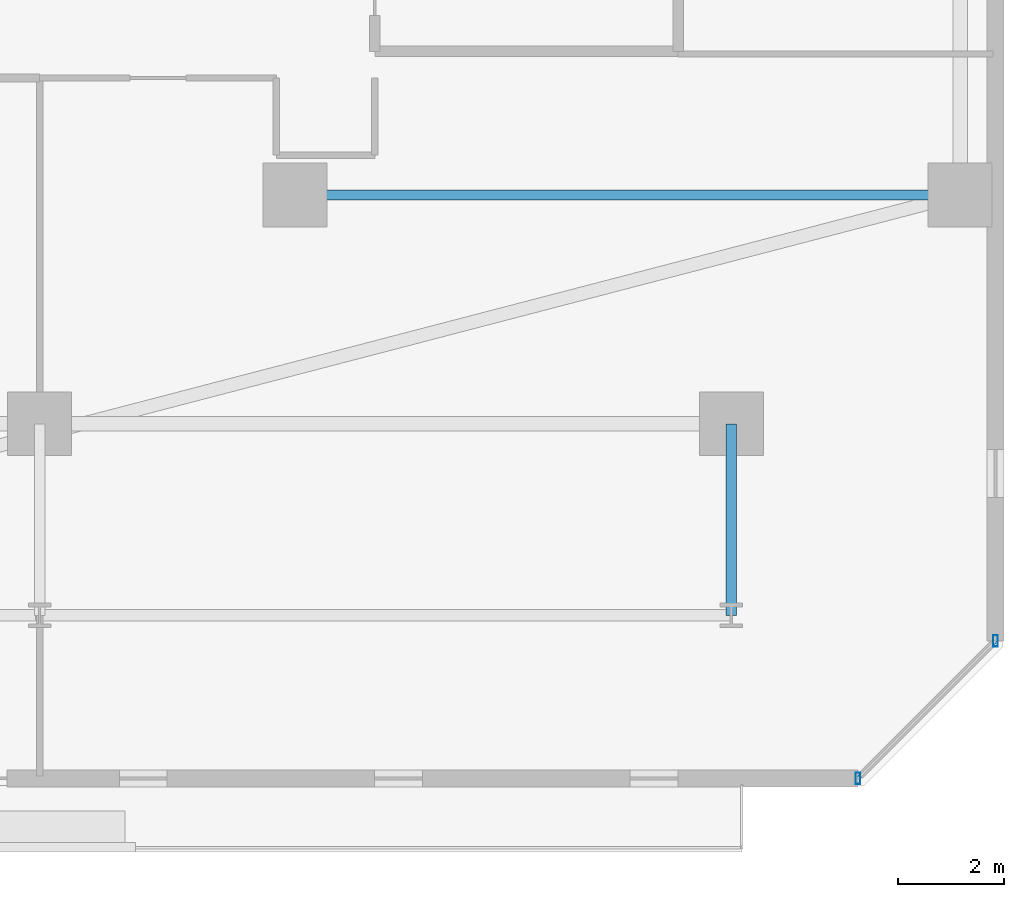
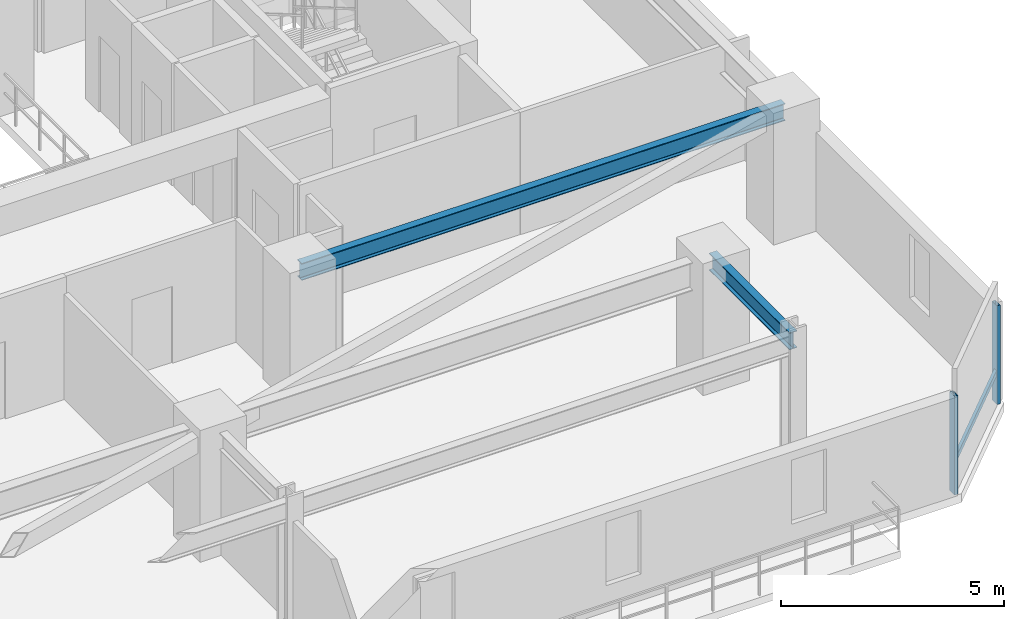
# One storey, part 13 of 33: 3 members, 2 beams, 1 element without a shape of its own.
"""IFC4 building model written with IfcOpenShell, lengths in metres."""

from ifc_helpers import new_model, si_unit, direction, frame, origin, origin_2d, place, context, subcontext, project, spatial, hollow_rectangle, i_section, extrude, material, material_profile, profile_set, type_object, element, aggregate, save


model = new_model("IFC4")

# Units and contexts
model_context = context("Model", 3, precision=1e-05, world=origin(), true_north=direction((0.0, 1.0)))
body_context = subcontext(model_context, "Body", "Model", "MODEL_VIEW")
ifc_project = project(units=[si_unit("LENGTHUNIT", "METRE"), si_unit("AREAUNIT", "SQUARE_METRE"), si_unit("VOLUMEUNIT", "CUBIC_METRE"), si_unit("PLANEANGLEUNIT", "RADIAN"), si_unit("MASSUNIT", "GRAM", prefix="KILO")], contexts=[model_context])

# Site, building, storey
site_placement = place(None, origin())
site = spatial("IfcSite", under=ifc_project, at=site_placement, CompositionType="ELEMENT")
building_placement = place(site_placement, origin())
building = spatial("IfcBuilding", under=site, at=building_placement, Name="Thornwick Lancets Civic Towers", CompositionType="ELEMENT")
storey_placement = place(building_placement, frame((0.0, 0.0, 105.300048828125)))
storey = spatial("IfcBuildingStorey", under=building, at=storey_placement, Name="L27", CompositionType="ELEMENT", Elevation=105.300048828125)

# Beams
ifc_material_1 = material(Name="Steel S355JR", Category="steel")
ifc_material_profile_1 = material_profile(ifc_material_1, i_section(OverallWidth=0.19287109375, OverallDepth=0.46728515625, WebThickness=0.011474609375, FlangeThickness=0.01953125, FilletRadius=0.01025390625, at=origin_2d()), Name="UKB 457x191x98")
ifc_profile_set_1 = profile_set([ifc_material_profile_1], Name="Steel S355JR")
beam_type = type_object("IfcBeamType", Name="BM_JOIST_457_98", PredefinedType="JOIST", material=ifc_profile_set_1)
beam_1_placement = place(storey_placement, frame((93.300048828125, 14.0, 3.12646484375), z_axis=(1.0, 0.0, 0.0), x_axis=(0.0, 1.0, 0.0)))
element("IfcBeam", 1, at=beam_1_placement, inside=storey, type_object=beam_type, Name="BM-RADIN-L27-B01", PredefinedType="JOIST", context=body_context, shape_type="SweptSolid", body=[
    extrude(i_section(OverallWidth=0.19287109375, OverallDepth=0.46728515625, WebThickness=0.011474609375, FlangeThickness=0.01953125, FilletRadius=0.01025390625, at=origin_2d()), origin(), (0.0, 0.0, 1.0), 12.5),
])
beam_2_placement = place(storey_placement, frame((101.5, 9.699951171875, 3.12646484375), z_axis=(0.0, -1.0, 0.0), x_axis=(1.0, 0.0, 0.0)))
element("IfcBeam", 2, at=beam_2_placement, inside=storey, type_object=beam_type, Name="BM-RAD-L27-B10", PredefinedType="JOIST", context=body_context, shape_type="SweptSolid", body=[
    extrude(i_section(OverallWidth=0.19287109375, OverallDepth=0.46728515625, WebThickness=0.011474609375, FlangeThickness=0.01953125, FilletRadius=0.01025390625, at=origin_2d()), origin(), (0.0, 0.0, 1.0), 3.599853515625),
])

# Curtain wall, members
ifc_material_2 = material(Name="Low-zone chamfered-corner unitised glass curtain wall", Category="glass")
curtain_wall_type = type_object("IfcCurtainWallType", Name="CW_SYS_03", PredefinedType="NOTDEFINED", material=ifc_material_2)
curtain_wall_placement = place(storey_placement, origin())
curtain_wall = element("IfcCurtainWall", 3, at=curtain_wall_placement, inside=storey, type_object=curtain_wall_type, Name="L27 Curtain Wall CW-L27-B-E1", PredefinedType="NOTDEFINED")
ifc_material_3 = material(Name="Thermally broken bronze aluminium S355", Category="steel")
ifc_material_profile_2 = material_profile(ifc_material_3, hollow_rectangle(XDim=0.090087890625, YDim=0.219970703125, WallThickness=0.00634765625, at=origin_2d()), Name="RHS 220x90x6.3")
ifc_profile_set_2 = profile_set([ifc_material_profile_2], Name="Thermally broken bronze aluminium S355")
member_type_1 = type_object("IfcMemberType", Name="CW_MUL_220", PredefinedType="MULLION", material=ifc_profile_set_2)
member_1_placement = place(storey_placement, frame((103.88134765625, 3.035400390625, 0.0), z_axis=(0.0, 0.0, 1.0), x_axis=(1.0, 0.0, 0.0)))
member_1 = element("IfcMember", 4, at=member_1_placement, type_object=member_type_1, Name="CW-L27-B-E1 Mullion 0", PredefinedType="MULLION", context=body_context, shape_type="SweptSolid", body=[
    extrude(hollow_rectangle(XDim=0.090087890625, YDim=0.219970703125, WallThickness=0.00634765625, at=origin_2d()), origin(), (0.0, 0.0, 1.0), 2.699951171875),
])
member_2_placement = place(storey_placement, frame((106.464599609375, 5.61865234375, 0.0), z_axis=(0.0, 0.0, 1.0), x_axis=(1.0, 0.0, 0.0)))
member_2 = element("IfcMember", 5, at=member_2_placement, type_object=member_type_1, Name="CW-L27-B-E1 Mullion 1", PredefinedType="MULLION", context=body_context, shape_type="SweptSolid", body=[
    extrude(hollow_rectangle(XDim=0.090087890625, YDim=0.219970703125, WallThickness=0.00634765625, at=origin_2d()), origin(), (0.0, 0.0, 1.0), 2.699951171875),
])
ifc_material_profile_3 = material_profile(ifc_material_3, hollow_rectangle(XDim=0.074951171875, YDim=0.14990234375, WallThickness=0.0048828125, at=origin_2d()), Name="RHS 150x75x5")
ifc_profile_set_3 = profile_set([ifc_material_profile_3], Name="Thermally broken bronze aluminium S355")
member_type_2 = type_object("IfcMemberType", Name="CW_TRN_150", PredefinedType="USERDEFINED", material=ifc_profile_set_3)
member_3_placement = place(storey_placement, frame((103.8955078125, 3.04931640625, 0.849853515625), z_axis=(0.707106781187, 0.707106781187, 0.0), x_axis=(-0.707106781187, 0.707106781187, 0.0)))
member_3 = element("IfcMember", 6, at=member_3_placement, type_object=member_type_2, Name="CW-L27-B-E1 Transom 0", ObjectType="TRANSOM", PredefinedType="USERDEFINED", context=body_context, shape_type="SweptSolid", body=[
    extrude(hollow_rectangle(XDim=0.074951171875, YDim=0.14990234375, WallThickness=0.0048828125, at=origin_2d()), origin(), (0.0, 0.0, 1.0), 3.613525390625),
])
aggregate(curtain_wall, [member_1, member_2, member_3])

save(model, "model.ifc")
